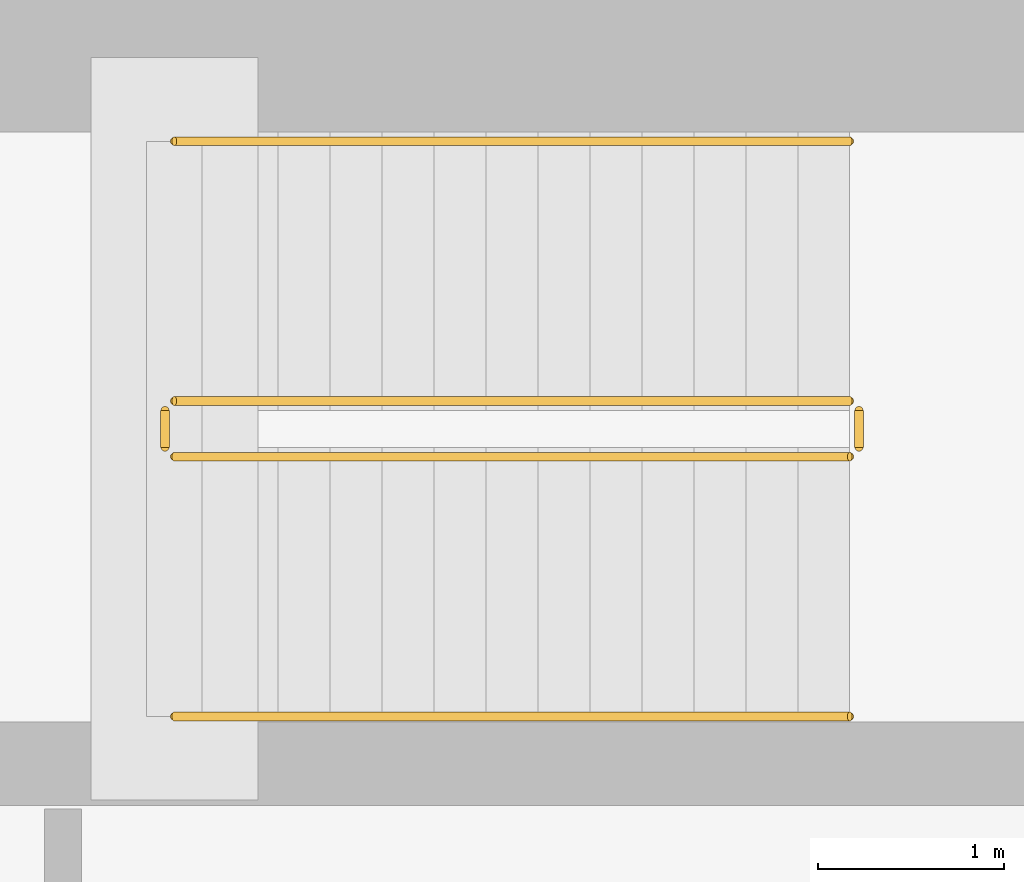
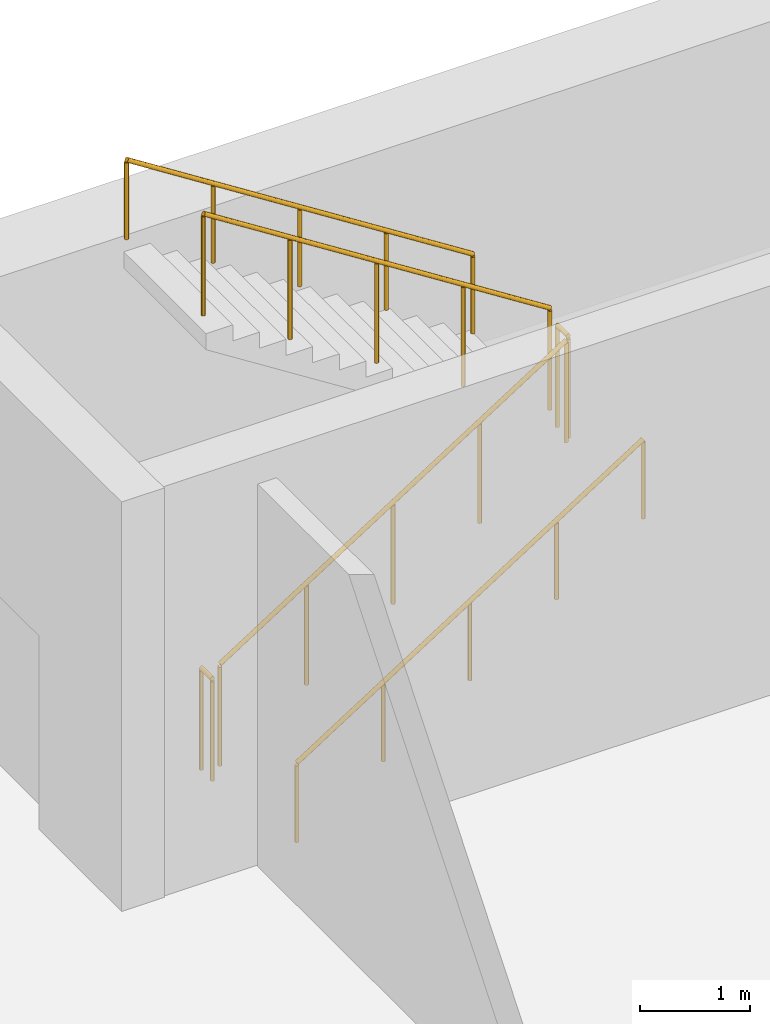
# One storey, part 16 of 17: 6 railings.
"""IFC4 building model written with IfcOpenShell, lengths in metres."""

import ifcopenshell
import ifcopenshell.guid

model = None  # the IFC model being written
_history = None  # IfcOwnerHistory: only IFC2X3 demands one
_inside = {}  # id of a spatial element -> (the spatial element, [elements in it])
_under = {}  # id of a project, library or spatial element -> (it, [spatial elements below it])
_declared = {}  # id of a project -> (the project, [libraries it declares])
_typed = {}  # id of a type object -> (the type object, [elements of that type])
_made_of = {}  # id of a material, layer set ... -> (it, [elements and type objects made of it])


def new_model(schema):
    """Start an empty IFC model of exactly this schema.

    Asked for "IFC4X3", IfcOpenShell would pick the latest addendum, in which some entities
    have other attributes; the version numbers below select the first issue.
    IFC2X3 requires an IfcOwnerHistory on every rooted entity: one is made here for all.
    """
    global model, _history
    if schema == "IFC4X3":
        model = ifcopenshell.file(schema_version=(4, 3, 0, 0))
    else:
        model = ifcopenshell.file(schema=schema)
    _inside.clear()
    _under.clear()
    _declared.clear()
    _typed.clear()
    _made_of.clear()
    _history = None
    if model.schema == "IFC2X3":
        org = make("IfcOrganization", Name="unknown")
        user = make(
            "IfcPersonAndOrganization",
            ThePerson=make("IfcPerson", FamilyName="unknown"),
            TheOrganization=org,
        )
        app = make(
            "IfcApplication",
            ApplicationDeveloper=org,
            Version="unknown",
            ApplicationFullName="unknown",
            ApplicationIdentifier="unknown",
        )
        _history = make(
            "IfcOwnerHistory",
            OwningUser=user,
            OwningApplication=app,
            ChangeAction="ADDED",
            CreationDate=0,
        )
    return model


def make(cls, **values):
    """One entity of the class cls with the attributes given. An attribute that is None is left unset."""
    return model.create_entity(
        cls, **{name: value for name, value in values.items() if value is not None}
    )


def rooted(cls, **values):
    """An entity with a GlobalId (a new one), such as an element, a storey or a relation."""
    return make(cls, GlobalId=ifcopenshell.guid.new(), OwnerHistory=_history, **values)


def si_unit(unit_type, name, prefix=None):
    """IfcSIUnit, for example si_unit("LENGTHUNIT", "METRE", prefix="MILLI")."""
    return make("IfcSIUnit", UnitType=unit_type, Prefix=prefix, Name=name)


def derived_unit(unit_type, elements):
    """IfcDerivedUnit: a product of units, each with its exponent."""
    return make(
        "IfcDerivedUnit",
        Elements=[
            make("IfcDerivedUnitElement", Unit=unit, Exponent=power)
            for unit, power in elements
        ],
        UnitType=unit_type,
    )


def assignment(units):
    """IfcUnitAssignment: the units of a project."""
    return None if units is None else make("IfcUnitAssignment", Units=units)


def point(xyz):
    """IfcCartesianPoint."""
    return None if xyz is None else make("IfcCartesianPoint", Coordinates=xyz)


def direction(xyz):
    """IfcDirection."""
    return None if xyz is None else make("IfcDirection", DirectionRatios=xyz)


def frame(location, z_axis=None, x_axis=None):
    """IfcAxis2Placement3D, a coordinate frame: its origin and axes. An axis left out is left unset."""
    return make(
        "IfcAxis2Placement3D",
        Location=point(location),
        Axis=direction(z_axis),
        RefDirection=direction(x_axis),
    )


def frame_2d(location, x_axis=None):
    """IfcAxis2Placement2D, a coordinate frame in the plane: its origin and x axis."""
    return make(
        "IfcAxis2Placement2D", Location=point(location), RefDirection=direction(x_axis)
    )


def origin():
    """The frame at (0, 0, 0) with its axes left unset."""
    return frame((0.0, 0.0, 0.0))


def origin_2d():
    """The frame at (0, 0) in the plane with its x axis left unset."""
    return frame_2d((0.0, 0.0))


def place(relative_to, where):
    """IfcLocalPlacement: puts the frame where relative to a parent placement (None: the world)."""
    return make(
        "IfcLocalPlacement", PlacementRelTo=relative_to, RelativePlacement=where
    )


def context(
    kind, dimensions, precision=None, world=None, true_north=None, identifier=None
):
    """IfcGeometricRepresentationContext, for example the 3D "Model" context."""
    return make(
        "IfcGeometricRepresentationContext",
        ContextIdentifier=identifier,
        ContextType=kind,
        CoordinateSpaceDimension=dimensions,
        Precision=precision,
        WorldCoordinateSystem=world,
        TrueNorth=true_north,
    )


def subcontext(parent, identifier, kind, view, scale=None):
    """IfcGeometricRepresentationSubContext, for example "Body" below "Model"."""
    return make(
        "IfcGeometricRepresentationSubContext",
        ContextIdentifier=identifier,
        ContextType=kind,
        ParentContext=parent,
        TargetScale=scale,
        TargetView=view,
    )


def project(units=None, contexts=None):
    """IfcProject with its units and contexts."""
    return rooted(
        "IfcProject",
        Name="project",
        RepresentationContexts=contexts,
        UnitsInContext=assignment(units),
    )


def spatial(cls, under=None, at=None, **own):
    """A site, building, storey or space (cls), placed at a placement, below another one or the project."""
    s = rooted(cls, ObjectPlacement=at, **own)
    if under is not None:
        _under.setdefault(under.id(), (under, []))[1].append(s)
    return s


def profile(cls, at=None, kind="AREA", **sizes):
    """A parametric profile (cls). Its sizes go by their IFC names, for example OverallWidth=200.0."""
    return make(cls, ProfileType=kind, Position=at, **sizes)


def circle(**sizes):
    """IfcCircleProfileDef."""
    return profile("IfcCircleProfileDef", **sizes)


def extrude(swept, where, along, depth):
    """IfcExtrudedAreaSolid: the profile swept, set in the frame where, extruded along a direction by depth."""
    return make(
        "IfcExtrudedAreaSolid",
        SweptArea=swept,
        Position=where,
        ExtrudedDirection=direction(along),
        Depth=depth,
    )


def shape(context_of_items, identifier, shape_type, items):
    """IfcShapeRepresentation: the items that make up one representation, for example the "Body"."""
    return make(
        "IfcShapeRepresentation",
        ContextOfItems=context_of_items,
        RepresentationIdentifier=identifier,
        RepresentationType=shape_type,
        Items=items,
    )


def material(Name=None, Category=None):
    """IfcMaterial."""
    return make("IfcMaterial", Name=Name, Category=Category)


def made_of(thing, what):
    """Note that an element or type object is made of a material, layer set ...; save() writes the relation."""
    if what is not None:
        _made_of.setdefault(what.id(), (what, []))[1].append(thing)
    return thing


def type_object(cls, material=None, **own):
    """A type object (cls), such as IfcWallType, which elements share."""
    return made_of(rooted(cls, **own), material)


def element(
    cls,
    number,
    at=None,
    inside=None,
    cuts=None,
    type_object=None,
    material=None,
    context=None,
    identifier="Body",
    shape_type=None,
    held_by="IfcProductDefinitionShape",
    body=None,
    shapes=None,
    **own,
):
    """One element of the class cls, such as IfcWall. Its Tag is "e" and its number.

    at: its placement. inside: the storey or other place that contains it. cuts: it is an
    opening in that element (IfcRelVoidsElement). A single representation is given by context,
    identifier, shape_type and body (its items); several are given by shapes. held_by: the class
    of the entity that holds the representations. save() writes the other relations.
    """
    e = rooted(cls, Tag="e%d" % number, ObjectPlacement=at, **own)
    if body is not None:
        shapes = [shape(context, identifier, shape_type, body)]
    if shapes is not None:
        e.Representation = make(held_by, Representations=shapes)
    if inside is not None:
        _inside.setdefault(inside.id(), (inside, []))[1].append(e)
    if cuts is not None:
        rooted(
            "IfcRelVoidsElement", RelatingBuildingElement=cuts, RelatedOpeningElement=e
        )
    if type_object is not None:
        _typed.setdefault(type_object.id(), (type_object, []))[1].append(e)
    return made_of(e, material)


def aggregate(whole, parts):
    """IfcRelAggregates: a whole, such as a stair, and the parts it consists of."""
    return rooted("IfcRelAggregates", RelatingObject=whole, RelatedObjects=parts)


def save(model, path):
    """Write the relations noted so far, then the file.

    IfcRelAggregates (storeys below a building ...), IfcRelContainedInSpatialStructure (elements
    in a storey), IfcRelDefinesByType, IfcRelAssociatesMaterial and IfcRelDeclares: one each for
    every whole, place, type object, material and project.
    """
    for whole, parts in _under.values():
        aggregate(whole, parts)
    for where, things in _inside.values():
        rooted(
            "IfcRelContainedInSpatialStructure",
            RelatedElements=things,
            RelatingStructure=where,
        )
    for kind, things in _typed.values():
        rooted("IfcRelDefinesByType", RelatedObjects=things, RelatingType=kind)
    for what, things in _made_of.values():
        rooted("IfcRelAssociatesMaterial", RelatedObjects=things, RelatingMaterial=what)
    for by, libraries in _declared.values():
        rooted("IfcRelDeclares", RelatingContext=by, RelatedDefinitions=libraries)
    model.write(path)


model = new_model("IFC4")

# Units and contexts
model_context = context("Model", 3, precision=1e-05, world=origin(), true_north=direction((0.0, 1.0)))
body_context = subcontext(model_context, "Body", "Model", "MODEL_VIEW")
ifc_project = project(units=[si_unit("LENGTHUNIT", "METRE"), si_unit("AREAUNIT", "SQUARE_METRE"), si_unit("VOLUMEUNIT", "CUBIC_METRE"), si_unit("PLANEANGLEUNIT", "RADIAN"), si_unit("MASSUNIT", "GRAM", prefix="KILO"), derived_unit("THERMALTRANSMITTANCEUNIT", [(si_unit("POWERUNIT", "WATT"), 1), (si_unit("LENGTHUNIT", "METRE"), -2), (si_unit("THERMODYNAMICTEMPERATUREUNIT", "KELVIN"), -1)])], contexts=[model_context])

# Site, building, storey
site_placement = place(None, origin())
site = spatial("IfcSite", under=ifc_project, at=site_placement, CompositionType="ELEMENT")
building_placement = place(site_placement, origin())
building = spatial("IfcBuilding", under=site, at=building_placement, Name="Skarnbrae Concourse Arena and Tower", CompositionType="ELEMENT")
storey_placement = place(building_placement, frame((0.0, 0.0, -10.0)))
storey = spatial("IfcBuildingStorey", under=building, at=storey_placement, Name="B02", CompositionType="ELEMENT", Elevation=-10.0)

# Railings
ifc_material = material(Name="Steel CSA G40.21 350W", Category="steel")
railing_type_1 = type_object("IfcRailingType", Name="RAIL-HANDRAIL-900", PredefinedType="HANDRAIL", material=ifc_material)
railing_1_placement = place(storey_placement, frame((69.199951171875, 52.050048828125, 0.178466796875)))
element("IfcRailing", 1, at=railing_1_placement, inside=storey, type_object=railing_type_1, Name="B02 ST-B4 stair handrail 1", PredefinedType="HANDRAIL", context=body_context, shape_type="SweptSolid", body=[
    extrude(circle(Radius=0.02392578125, at=origin_2d()), frame((0.0, 0.0, 0.8759765625), z_axis=(0.843127859045, 0.0, 0.537713132908), x_axis=(0.0, 1.0, 0.0)), (0.0, 0.0, 1.0), 4.3173828125),
    extrude(circle(Radius=0.02099609375, at=origin_2d()), origin(), (0.0, 0.0, 1.0), 0.851806640625),
    extrude(circle(Radius=0.02099609375, at=origin_2d()), frame((0.91015625, 0.0, 0.580322265625)), (0.0, 0.0, 1.0), 0.851806640625),
    extrude(circle(Radius=0.02099609375, at=origin_2d()), frame((1.820068359375, 0.0, 1.16064453125)), (0.0, 0.0, 1.0), 0.851806640625),
    extrude(circle(Radius=0.02099609375, at=origin_2d()), frame((2.72998046875, 0.0, 1.7412109375)), (0.0, 0.0, 1.0), 0.851806640625),
    extrude(circle(Radius=0.02099609375, at=origin_2d()), frame((3.64013671875, 0.0, 2.321533203125)), (0.0, 0.0, 1.0), 0.851806640625),
])
railing_2_placement = place(storey_placement, frame((72.840087890625, 55.14990234375, 2.678466796875)))
element("IfcRailing", 2, at=railing_2_placement, inside=storey, type_object=railing_type_1, Name="B02 ST-B4 stair handrail 2", PredefinedType="HANDRAIL", context=body_context, shape_type="SweptSolid", body=[
    extrude(circle(Radius=0.02392578125, at=origin_2d()), frame((0.0, 0.0, 0.8759765625), z_axis=(-0.843127859045, 0.0, 0.537713132908), x_axis=(0.0, -1.0, 0.0)), (0.0, 0.0, 1.0), 4.3173828125),
    extrude(circle(Radius=0.02099609375, at=origin_2d()), origin(), (0.0, 0.0, 1.0), 0.851806640625),
    extrude(circle(Radius=0.02099609375, at=origin_2d()), frame((-0.91015625, 0.0, 0.580322265625)), (0.0, 0.0, 1.0), 0.851806640625),
    extrude(circle(Radius=0.02099609375, at=origin_2d()), frame((-1.820068359375, 0.0, 1.16064453125)), (0.0, 0.0, 1.0), 0.851806640625),
    extrude(circle(Radius=0.02099609375, at=origin_2d()), frame((-2.72998046875, 0.0, 1.7412109375)), (0.0, 0.0, 1.0), 0.851806640625),
    extrude(circle(Radius=0.02099609375, at=origin_2d()), frame((-3.64013671875, 0.0, 2.321533203125)), (0.0, 0.0, 1.0), 0.851806640625),
])
railing_type_2 = type_object("IfcRailingType", Name="RAIL-STAIR-GUARD-1150", PredefinedType="GUARDRAIL", material=ifc_material)
railing_3_placement = place(storey_placement, frame((69.199951171875, 53.449951171875, 0.178466796875)))
element("IfcRailing", 3, at=railing_3_placement, inside=storey, type_object=railing_type_2, Name="B02 ST-B4 stair guard 1", PredefinedType="GUARDRAIL", context=body_context, shape_type="SweptSolid", body=[
    extrude(circle(Radius=0.02392578125, at=origin_2d()), frame((0.0, 0.0, 1.1259765625), z_axis=(0.843127859045, 0.0, 0.537713132908), x_axis=(0.0, 1.0, 0.0)), (0.0, 0.0, 1.0), 4.3173828125),
    extrude(circle(Radius=0.02099609375, at=origin_2d()), origin(), (0.0, 0.0, 1.0), 1.101806640625),
    extrude(circle(Radius=0.02099609375, at=origin_2d()), frame((0.91015625, 0.0, 0.580322265625)), (0.0, 0.0, 1.0), 1.101806640625),
    extrude(circle(Radius=0.02099609375, at=origin_2d()), frame((1.820068359375, 0.0, 1.16064453125)), (0.0, 0.0, 1.0), 1.101806640625),
    extrude(circle(Radius=0.02099609375, at=origin_2d()), frame((2.72998046875, 0.0, 1.7412109375)), (0.0, 0.0, 1.0), 1.101806640625),
    extrude(circle(Radius=0.02099609375, at=origin_2d()), frame((3.64013671875, 0.0, 2.321533203125)), (0.0, 0.0, 1.0), 1.101806640625),
])
railing_4_placement = place(storey_placement, frame((72.889892578125, 53.5, 2.5)))
element("IfcRailing", 4, at=railing_4_placement, inside=storey, type_object=railing_type_2, Name="B02 ST-B4 stair guard 2", PredefinedType="GUARDRAIL", context=body_context, shape_type="SweptSolid", body=[
    extrude(circle(Radius=0.02392578125, at=origin_2d()), frame((0.0, 0.0, 1.1259765625), z_axis=(0.0, 1.0, 0.0), x_axis=(-1.0, 0.0, 0.0)), (0.0, 0.0, 1.0), 0.199951171875),
    extrude(circle(Radius=0.02099609375, at=origin_2d()), origin(), (0.0, 0.0, 1.0), 1.101806640625),
    extrude(circle(Radius=0.02099609375, at=origin_2d()), frame((0.0, 0.199951171875, 0.0)), (0.0, 0.0, 1.0), 1.101806640625),
])
railing_5_placement = place(storey_placement, frame((72.840087890625, 53.75, 2.678466796875)))
element("IfcRailing", 5, at=railing_5_placement, inside=storey, type_object=railing_type_2, Name="B02 ST-B4 stair guard 3", PredefinedType="GUARDRAIL", context=body_context, shape_type="SweptSolid", body=[
    extrude(circle(Radius=0.02392578125, at=origin_2d()), frame((0.0, 0.0, 1.1259765625), z_axis=(-0.843127859045, 0.0, 0.537713132908), x_axis=(0.0, -1.0, 0.0)), (0.0, 0.0, 1.0), 4.3173828125),
    extrude(circle(Radius=0.02099609375, at=origin_2d()), origin(), (0.0, 0.0, 1.0), 1.101806640625),
    extrude(circle(Radius=0.02099609375, at=origin_2d()), frame((-0.91015625, 0.0, 0.580322265625)), (0.0, 0.0, 1.0), 1.101806640625),
    extrude(circle(Radius=0.02099609375, at=origin_2d()), frame((-1.820068359375, 0.0, 1.16064453125)), (0.0, 0.0, 1.0), 1.101806640625),
    extrude(circle(Radius=0.02099609375, at=origin_2d()), frame((-2.72998046875, 0.0, 1.7412109375)), (0.0, 0.0, 1.0), 1.101806640625),
    extrude(circle(Radius=0.02099609375, at=origin_2d()), frame((-3.64013671875, 0.0, 2.321533203125)), (0.0, 0.0, 1.0), 1.101806640625),
])
railing_6_placement = place(storey_placement, frame((69.14990234375, 53.5, 0.0)))
element("IfcRailing", 6, at=railing_6_placement, inside=storey, type_object=railing_type_2, Name="B02 ST-B4 stair guard 4", PredefinedType="GUARDRAIL", context=body_context, shape_type="SweptSolid", body=[
    extrude(circle(Radius=0.02392578125, at=origin_2d()), frame((0.0, 0.0, 1.1259765625), z_axis=(0.0, 1.0, 0.0), x_axis=(-1.0, 0.0, 0.0)), (0.0, 0.0, 1.0), 0.199951171875),
    extrude(circle(Radius=0.02099609375, at=origin_2d()), origin(), (0.0, 0.0, 1.0), 1.101806640625),
    extrude(circle(Radius=0.02099609375, at=origin_2d()), frame((0.0, 0.199951171875, 0.0)), (0.0, 0.0, 1.0), 1.101806640625),
])

save(model, "model.ifc")
